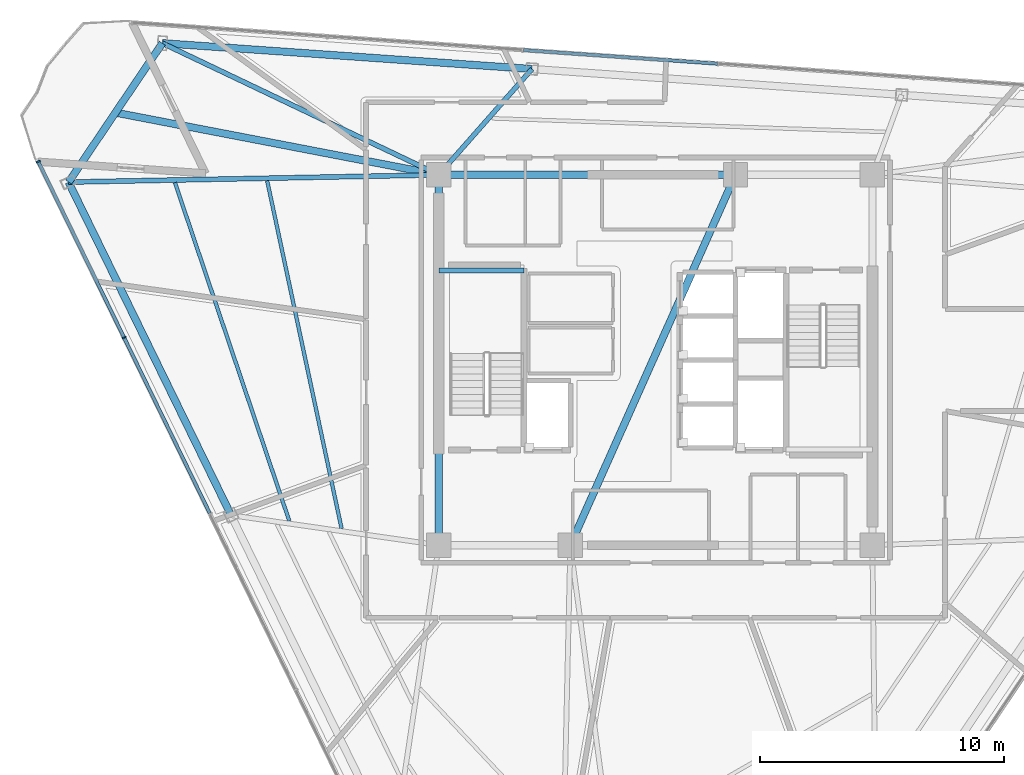
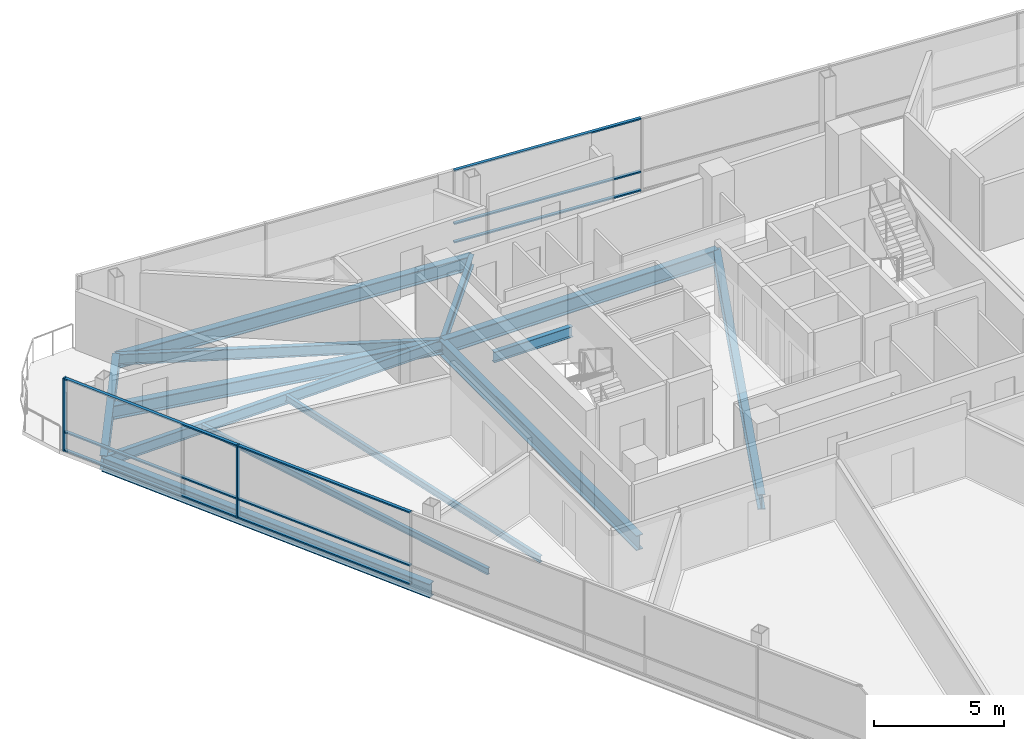
# One storey, part 5 of 14: 13 beams, 11 members, 2 elements without a shape of their own.
"""IFC4 building model written with IfcOpenShell, lengths in metres."""

from ifc_helpers import new_model, si_unit, direction, frame, origin, origin_2d, place, context, subcontext, project, spatial, rectangle, i_section, extrude, material, layer, layer_set, material_profile, profile_set, type_object, element, aggregate, save


model = new_model("IFC4")

# Units and contexts
model_context = context("Model", 3, precision=1e-05, world=origin(), true_north=direction((0.0, 1.0)))
body_context = subcontext(model_context, "Body", "Model", "MODEL_VIEW")
ifc_project = project(units=[si_unit("LENGTHUNIT", "METRE"), si_unit("AREAUNIT", "SQUARE_METRE"), si_unit("VOLUMEUNIT", "CUBIC_METRE"), si_unit("PLANEANGLEUNIT", "RADIAN"), si_unit("MASSUNIT", "GRAM", prefix="KILO")], contexts=[model_context])

# Site, building, storey
site_placement = place(None, origin())
site = spatial("IfcSite", under=ifc_project, at=site_placement, CompositionType="ELEMENT")
building_placement = place(site_placement, origin())
building = spatial("IfcBuilding", under=site, at=building_placement, Name="Tharavind Bronze Gate", CompositionType="ELEMENT")
storey_placement = place(building_placement, frame((0.0, 0.0, 237.85009765625)))
storey = spatial("IfcBuildingStorey", under=building, at=storey_placement, Name="L61", CompositionType="ELEMENT", Elevation=237.85009765625)

# Curtain wall, members
ifc_material_1 = material(Name="Anodised Bronze Aluminium", Category="aluminium")
ifc_layer = layer(ifc_material_1, 0.219970703125)
ifc_layer_set = layer_set([ifc_layer], Name="Anodised Bronze Aluminium")
curtain_wall_type = type_object("IfcCurtainWallType", Name="UNITISED CURTAIN WALL UPPER OFFICE", PredefinedType="USERDEFINED", material=ifc_layer_set)
curtain_wall_1_placement = place(storey_placement, origin())
curtain_wall_1 = element("IfcCurtainWall", 1, at=curtain_wall_1_placement, inside=storey, type_object=curtain_wall_type, Name="L61 unitised curtain wall upper office CW-L61-S1", ObjectType="UNITISED CURTAIN WALL", PredefinedType="USERDEFINED")
member_type_1 = type_object("IfcMemberType", Name="CURTAIN WALL BRONZE MULLION 65X180", PredefinedType="MULLION", material=ifc_material_1)
member_1_placement = place(storey_placement, frame((-25.337158203125, 8.140625, 0.0), z_axis=(0.0, 0.0, 1.0), x_axis=(0.438371146789, -0.898794046299, 0.0)))
member_1 = element("IfcMember", 2, at=member_1_placement, type_object=member_type_1, Name="CW-L61-S1 mullion 1", PredefinedType="MULLION", context=body_context, shape_type="SweptSolid", body=[
    extrude(rectangle(XDim=0.06494140625, YDim=0.179931640625, at=origin_2d()), origin(), (0.0, 0.0, 1.0), 3.419921875),
])
member_2_placement = place(storey_placement, frame((-21.8134765625, 0.916259765625, 0.0), z_axis=(0.0, 0.0, 1.0), x_axis=(0.438371146789, -0.898794046299, 0.0)))
member_2 = element("IfcMember", 3, at=member_2_placement, type_object=member_type_1, Name="CW-L61-S1 mullion 2", PredefinedType="MULLION", context=body_context, shape_type="SweptSolid", body=[
    extrude(rectangle(XDim=0.06494140625, YDim=0.179931640625, at=origin_2d()), origin(), (0.0, 0.0, 1.0), 3.419921875),
])
member_type_2 = type_object("IfcMemberType", Name="CURTAIN WALL BRONZE TRANSOM 65X140", PredefinedType="USERDEFINED", material=ifc_material_1)
member_3_placement = place(storey_placement, frame((-23.5751953125, 4.5283203125, 0.0), z_axis=(0.0, 0.0, 1.0), x_axis=(0.438371146789, -0.898794046299, 0.0)))
member_3 = element("IfcMember", 4, at=member_3_placement, type_object=member_type_2, Name="CW-L61-S1 transom TB1", ObjectType="TRANSOM", PredefinedType="USERDEFINED", context=body_context, shape_type="SweptSolid", body=[
    extrude(rectangle(XDim=7.985107421875, YDim=0.139892578125, at=origin_2d()), origin(), (0.0, 0.0, 1.0), 0.06494140625),
])
member_4_placement = place(storey_placement, frame((-23.5751953125, 4.5283203125, 0.867431640625), z_axis=(0.0, 0.0, 1.0), x_axis=(0.438371146789, -0.898794046299, 0.0)))
member_4 = element("IfcMember", 5, at=member_4_placement, type_object=member_type_2, Name="CW-L61-S1 transom TS1", ObjectType="TRANSOM", PredefinedType="USERDEFINED", context=body_context, shape_type="SweptSolid", body=[
    extrude(rectangle(XDim=7.985107421875, YDim=0.139892578125, at=origin_2d()), origin(), (0.0, 0.0, 1.0), 0.06494140625),
])
member_5_placement = place(storey_placement, frame((-23.5751953125, 4.5283203125, 3.35498046875), z_axis=(0.0, 0.0, 1.0), x_axis=(0.438371146789, -0.898794046299, 0.0)))
member_5 = element("IfcMember", 6, at=member_5_placement, type_object=member_type_2, Name="CW-L61-S1 transom TT1", ObjectType="TRANSOM", PredefinedType="USERDEFINED", context=body_context, shape_type="SweptSolid", body=[
    extrude(rectangle(XDim=7.985107421875, YDim=0.139892578125, at=origin_2d()), origin(), (0.0, 0.0, 1.0), 0.06494140625),
])
member_6_placement = place(storey_placement, frame((-20.051513671875, -2.696044921875, 0.0), z_axis=(0.0, 0.0, 1.0), x_axis=(0.438371146789, -0.898794046299, 0.0)))
member_6 = element("IfcMember", 7, at=member_6_placement, type_object=member_type_2, Name="CW-L61-S1 transom TB2", ObjectType="TRANSOM", PredefinedType="USERDEFINED", context=body_context, shape_type="SweptSolid", body=[
    extrude(rectangle(XDim=7.985107421875, YDim=0.139892578125, at=origin_2d()), origin(), (0.0, 0.0, 1.0), 0.06494140625),
])
member_7_placement = place(storey_placement, frame((-20.051513671875, -2.696044921875, 0.867431640625), z_axis=(0.0, 0.0, 1.0), x_axis=(0.438371146789, -0.898794046299, 0.0)))
member_7 = element("IfcMember", 8, at=member_7_placement, type_object=member_type_2, Name="CW-L61-S1 transom TS2", ObjectType="TRANSOM", PredefinedType="USERDEFINED", context=body_context, shape_type="SweptSolid", body=[
    extrude(rectangle(XDim=7.985107421875, YDim=0.139892578125, at=origin_2d()), origin(), (0.0, 0.0, 1.0), 0.06494140625),
])
member_8_placement = place(storey_placement, frame((-20.051513671875, -2.696044921875, 3.35498046875), z_axis=(0.0, 0.0, 1.0), x_axis=(0.438371146789, -0.898794046299, 0.0)))
member_8 = element("IfcMember", 9, at=member_8_placement, type_object=member_type_2, Name="CW-L61-S1 transom TT2", ObjectType="TRANSOM", PredefinedType="USERDEFINED", context=body_context, shape_type="SweptSolid", body=[
    extrude(rectangle(XDim=7.985107421875, YDim=0.139892578125, at=origin_2d()), origin(), (0.0, 0.0, 1.0), 0.06494140625),
])
aggregate(curtain_wall_1, [member_1, member_2, member_3, member_4, member_5, member_6, member_7, member_8])

curtain_wall_2_placement = place(storey_placement, origin())
curtain_wall_2 = element("IfcCurtainWall", 10, at=curtain_wall_2_placement, inside=storey, type_object=curtain_wall_type, Name="L61 unitised curtain wall upper office CW-L61-S3", ObjectType="UNITISED CURTAIN WALL", PredefinedType="USERDEFINED")
member_9_placement = place(storey_placement, frame((-1.44384765625, 12.442626953125, 0.0), z_axis=(0.0, 0.0, 1.0), x_axis=(-0.99756392851, 0.069758214822, 0.0)))
member_9 = element("IfcMember", 11, at=member_9_placement, type_object=member_type_2, Name="CW-L61-S3 transom TB4", ObjectType="TRANSOM", PredefinedType="USERDEFINED", context=body_context, shape_type="SweptSolid", body=[
    extrude(rectangle(XDim=7.985107421875, YDim=0.139892578125, at=origin_2d()), origin(), (0.0, 0.0, 1.0), 0.06494140625),
])
member_10_placement = place(storey_placement, frame((-1.44384765625, 12.442626953125, 0.867431640625), z_axis=(0.0, 0.0, 1.0), x_axis=(-0.99756392851, 0.069758214822, 0.0)))
member_10 = element("IfcMember", 12, at=member_10_placement, type_object=member_type_2, Name="CW-L61-S3 transom TS4", ObjectType="TRANSOM", PredefinedType="USERDEFINED", context=body_context, shape_type="SweptSolid", body=[
    extrude(rectangle(XDim=7.985107421875, YDim=0.139892578125, at=origin_2d()), origin(), (0.0, 0.0, 1.0), 0.06494140625),
])
member_11_placement = place(storey_placement, frame((-1.44384765625, 12.442626953125, 3.35498046875), z_axis=(0.0, 0.0, 1.0), x_axis=(-0.99756392851, 0.069758214822, 0.0)))
member_11 = element("IfcMember", 13, at=member_11_placement, type_object=member_type_2, Name="CW-L61-S3 transom TT4", ObjectType="TRANSOM", PredefinedType="USERDEFINED", context=body_context, shape_type="SweptSolid", body=[
    extrude(rectangle(XDim=7.985107421875, YDim=0.139892578125, at=origin_2d()), origin(), (0.0, 0.0, 1.0), 0.06494140625),
])
aggregate(curtain_wall_2, [member_9, member_10, member_11])

# Beams
ifc_material_2 = material(Name="Steel S355", Category="steel")
ifc_material_profile_1 = material_profile(ifc_material_2, i_section(OverallWidth=0.300048828125, OverallDepth=0.64990234375, WebThickness=0.01611328125, FlangeThickness=0.031005859375, at=origin_2d()), Name="HE650B")
ifc_profile_set_1 = profile_set([ifc_material_profile_1], Name="Steel S355")
beam_type_1 = type_object("IfcBeamType", Name="PRIMARY GIRDER HE650B", PredefinedType="USERDEFINED", material=ifc_profile_set_1)
for number, where, z_axis, x_axis, name in (
    (14, (-24.093505859375, 7.302001953125, -0.505126953125), (0.438370186885, -0.898794514475, 0.0), (0.898794514475, 0.438370186885, 0.0), "L61 primary girder he650b BM-L61-PRG01"),
    (15, (-5.0732421875, 11.944580078125, -0.505126953125), (-0.997563917828, 0.069758367582, 0.0), (-0.069758367582, -0.997563917828, 0.0), "L61 primary girder he650b BM-L61-PRG11"),
):
    element("IfcBeam", number, at=place(storey_placement, frame(where, z_axis=z_axis, x_axis=x_axis)), inside=storey, type_object=beam_type_1, Name=name, ObjectType="GIRDER", PredefinedType="USERDEFINED", context=body_context, shape_type="SweptSolid", body=[
        extrude(i_section(OverallWidth=0.300048828125, OverallDepth=0.64990234375, WebThickness=0.01611328125, FlangeThickness=0.031005859375, at=origin_2d()), origin(), (0.0, 0.0, 1.0), 15.210205078125),
    ])
beam_1_placement = place(storey_placement, frame((-20.246337890625, 13.005615234375, -0.505126953125), z_axis=(-0.559196123664, -0.829035400498, 0.0), x_axis=(0.829035400498, -0.559196123664, 0.0)))
element("IfcBeam", 16, at=beam_1_placement, inside=storey, type_object=beam_type_1, Name="L61 primary girder he650b BM-L61-PRG12", ObjectType="GIRDER", PredefinedType="USERDEFINED", context=body_context, shape_type="SweptSolid", body=[
    extrude(i_section(OverallWidth=0.300048828125, OverallDepth=0.64990234375, WebThickness=0.01611328125, FlangeThickness=0.031005859375, at=origin_2d()), origin(), (0.0, 0.0, 1.0), 6.8798828125),
])
beam_2_placement = place(storey_placement, frame((-8.89990234375, 7.60009765625, -0.505126953125), z_axis=(-0.981981954997, 0.18897470746, 0.0), x_axis=(-0.18897470746, -0.981981954997, 0.0)))
element("IfcBeam", 17, at=beam_2_placement, inside=storey, type_object=beam_type_1, Name="L61 primary girder he650b BM-L61-BLCSB", ObjectType="GIRDER", PredefinedType="USERDEFINED", context=body_context, shape_type="SweptSolid", body=[
    extrude(i_section(OverallWidth=0.300048828125, OverallDepth=0.64990234375, WebThickness=0.01611328125, FlangeThickness=0.031005859375, at=origin_2d()), origin(), (0.0, 0.0, 1.0), 13.513427734375),
])
ifc_material_profile_2 = material_profile(ifc_material_2, i_section(OverallWidth=0.199951171875, OverallDepth=0.5, WebThickness=0.01025390625, FlangeThickness=0.01611328125, at=origin_2d()), Name="IPE500")
ifc_profile_set_2 = profile_set([ifc_material_profile_2], Name="Steel S355")
beam_type_2 = type_object("IfcBeamType", Name="PRIMARY GIRDER IPE500", PredefinedType="USERDEFINED", material=ifc_profile_set_2)
beam_3_placement = place(storey_placement, frame((-8.89990234375, 3.679931640625, 1.349853515625), z_axis=(1.0, 0.0, 0.0), x_axis=(0.0, 1.0, 0.0)))
element("IfcBeam", 18, at=beam_3_placement, inside=storey, type_object=beam_type_2, Name="L61 primary girder ipe500 BM-LD-ST1-L61-1", ObjectType="GIRDER", PredefinedType="USERDEFINED", context=body_context, shape_type="SweptSolid", body=[
    extrude(i_section(OverallWidth=0.199951171875, OverallDepth=0.5, WebThickness=0.01025390625, FlangeThickness=0.01611328125, at=origin_2d()), origin(), (0.0, 0.0, 1.0), 3.5),
])
beam_4_placement = place(storey_placement, frame((-24.093505859375, 7.302001953125, -0.43017578125), z_axis=(0.999807586961, 0.019616040745, 0.0), x_axis=(-0.019616040745, 0.999807586961, 0.0)))
element("IfcBeam", 19, at=beam_4_placement, inside=storey, type_object=beam_type_2, Name="L61 primary girder ipe500 BM-L61-RAD01", ObjectType="GIRDER", PredefinedType="USERDEFINED", context=body_context, shape_type="SweptSolid", body=[
    extrude(i_section(OverallWidth=0.199951171875, OverallDepth=0.5, WebThickness=0.01025390625, FlangeThickness=0.01611328125, at=origin_2d()), origin(), (0.0, 0.0, 1.0), 15.196533203125),
])
beam_5_placement = place(storey_placement, frame((-5.0732421875, 11.944580078125, -0.43017578125), z_axis=(-0.660970052171, -0.750412280106, 0.0), x_axis=(0.750412280106, -0.660970052171, 0.0)))
element("IfcBeam", 20, at=beam_5_placement, inside=storey, type_object=beam_type_2, Name="L61 primary girder ipe500 BM-L61-RAD11", ObjectType="GIRDER", PredefinedType="USERDEFINED", context=body_context, shape_type="SweptSolid", body=[
    extrude(i_section(OverallWidth=0.199951171875, OverallDepth=0.5, WebThickness=0.01025390625, FlangeThickness=0.01611328125, at=origin_2d()), origin(), (0.0, 0.0, 1.0), 5.78955078125),
])
beam_6_placement = place(storey_placement, frame((-20.246337890625, 13.005615234375, -0.43017578125), z_axis=(0.902784743055, -0.430092673394, 0.0), x_axis=(0.430092673394, 0.902784743055, 0.0)))
element("IfcBeam", 21, at=beam_6_placement, inside=storey, type_object=beam_type_2, Name="L61 primary girder ipe500 BM-L61-RAD12", ObjectType="GIRDER", PredefinedType="USERDEFINED", context=body_context, shape_type="SweptSolid", body=[
    extrude(i_section(OverallWidth=0.199951171875, OverallDepth=0.5, WebThickness=0.01025390625, FlangeThickness=0.01611328125, at=origin_2d()), origin(), (0.0, 0.0, 1.0), 12.568359375),
])
ifc_material_profile_3 = material_profile(ifc_material_2, i_section(OverallWidth=0.300048828125, OverallDepth=0.699951171875, WebThickness=0.01708984375, FlangeThickness=0.031982421875, at=origin_2d()), Name="HE700B")
ifc_profile_set_3 = profile_set([ifc_material_profile_3], Name="Steel S355")
beam_type_3 = type_object("IfcBeamType", Name="RING GIRDER HE700B", PredefinedType="USERDEFINED", material=ifc_profile_set_3)
beam_7_placement = place(storey_placement, frame((3.280029296875, 7.60009765625, -0.530029296875), z_axis=(-1.0, 0.0, 0.0), x_axis=(0.0, -1.0, 0.0)))
element("IfcBeam", 22, at=beam_7_placement, inside=storey, type_object=beam_type_3, Name="L61 ring girder he700b BM-L61-CR5", ObjectType="GIRDER", PredefinedType="USERDEFINED", context=body_context, shape_type="SweptSolid", body=[
    extrude(i_section(OverallWidth=0.300048828125, OverallDepth=0.699951171875, WebThickness=0.01708984375, FlangeThickness=0.031982421875, at=origin_2d()), origin(), (0.0, 0.0, 1.0), 12.179931640625),
])
beam_8_placement = place(storey_placement, frame((-8.89990234375, 7.60009765625, -0.530029296875), z_axis=(0.0, -1.0, 0.0), x_axis=(1.0, 0.0, 0.0)))
element("IfcBeam", 23, at=beam_8_placement, inside=storey, type_object=beam_type_3, Name="L61 ring girder he700b BM-L61-CR6", ObjectType="GIRDER", PredefinedType="USERDEFINED", context=body_context, shape_type="SweptSolid", body=[
    extrude(i_section(OverallWidth=0.300048828125, OverallDepth=0.699951171875, WebThickness=0.01708984375, FlangeThickness=0.031982421875, at=origin_2d()), origin(), (0.0, 0.0, 1.0), 15.2001953125),
])
beam_9_placement = place(storey_placement, frame((-3.5, -7.60009765625, -0.530029296875), z_axis=(0.407361644566, 0.913266932795, 0.0), x_axis=(-0.913266932795, 0.407361644566, 0.0)))
element("IfcBeam", 24, at=beam_9_placement, inside=storey, type_object=beam_type_3, Name="L61 ring girder he700b BM-L61-CR7", ObjectType="GIRDER", PredefinedType="USERDEFINED", context=body_context, shape_type="SweptSolid", body=[
    extrude(i_section(OverallWidth=0.300048828125, OverallDepth=0.699951171875, WebThickness=0.01708984375, FlangeThickness=0.031982421875, at=origin_2d()), origin(), (0.0, 0.0, 1.0), 16.643798828125),
])
ifc_material_profile_4 = material_profile(ifc_material_2, i_section(OverallWidth=0.14990234375, OverallDepth=0.300048828125, WebThickness=0.007080078125, FlangeThickness=0.0107421875, at=origin_2d()), Name="IPE300")
ifc_profile_set_4 = profile_set([ifc_material_profile_4], Name="Steel S355")
beam_type_4 = type_object("IfcBeamType", Name="SECONDARY FLOOR JOIST IPE300", PredefinedType="JOIST", material=ifc_profile_set_4)
beam_10_placement = place(storey_placement, frame((-15.94287109375, 7.35791015625, -0.330078125), z_axis=(0.209253867675, -0.977861349509, 0.0), x_axis=(0.977861349509, 0.209253867675, 0.0)))
element("IfcBeam", 25, at=beam_10_placement, inside=storey, type_object=beam_type_4, Name="L61 secondary floor joist ipe300 BM-L61-JSTA01", PredefinedType="JOIST", context=body_context, shape_type="SweptSolid", body=[
    extrude(i_section(OverallWidth=0.14990234375, OverallDepth=0.300048828125, WebThickness=0.007080078125, FlangeThickness=0.0107421875, at=origin_2d()), origin(), (0.0, 0.0, 1.0), 14.600341796875),
])
beam_11_placement = place(storey_placement, frame((-19.728515625, 7.28369140625, -0.330078125), z_axis=(0.320165511118, -0.9473616234, 0.0), x_axis=(0.9473616234, 0.320165511118, 0.0)))
element("IfcBeam", 26, at=beam_11_placement, inside=storey, type_object=beam_type_4, Name="L61 secondary floor joist ipe300 BM-L61-JSTB01", PredefinedType="JOIST", context=body_context, shape_type="SweptSolid", body=[
    extrude(i_section(OverallWidth=0.14990234375, OverallDepth=0.300048828125, WebThickness=0.007080078125, FlangeThickness=0.0107421875, at=origin_2d()), origin(), (0.0, 0.0, 1.0), 14.665283203125),
])

save(model, "model.ifc")
